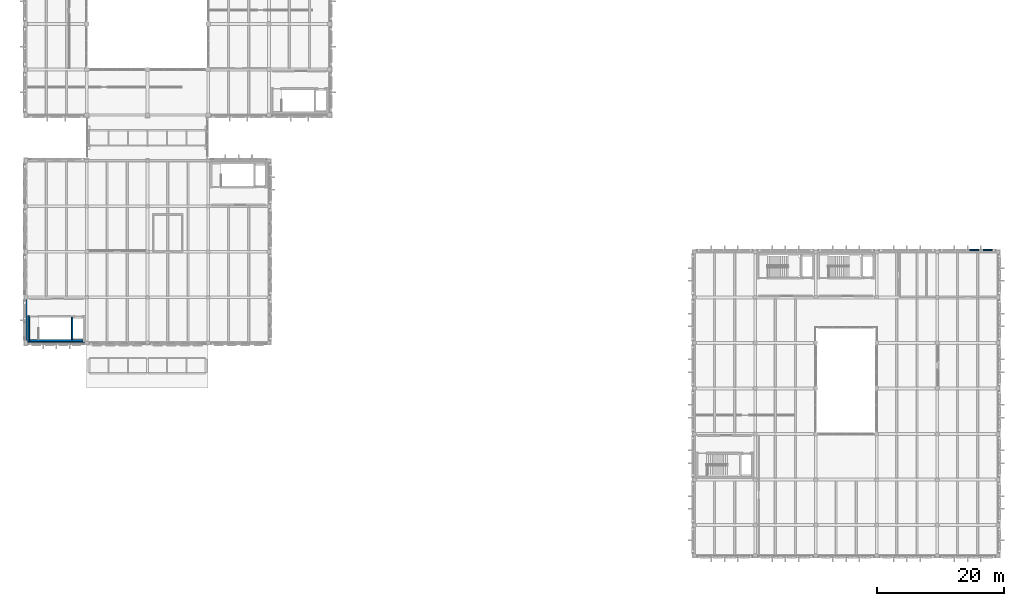
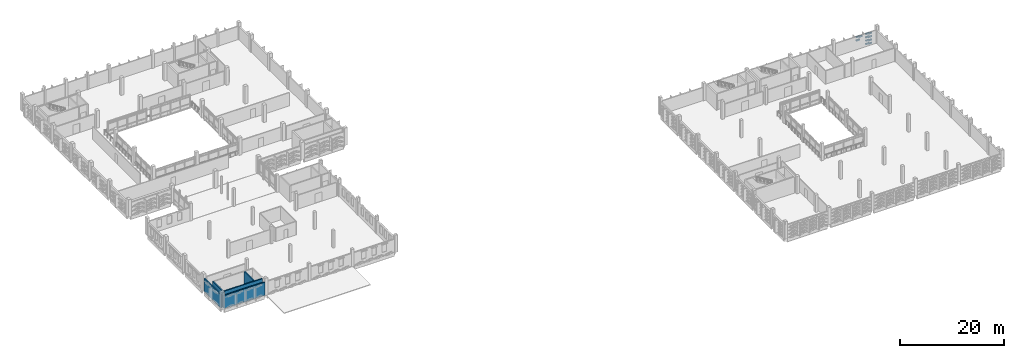
# One storey, part 52 of 72: 11 plates, 5 walls.
"""IFC4 building model written with IfcOpenShell, lengths in metres."""

from ifc_helpers import new_model, si_unit, direction, frame, frame_2d, origin, origin_2d, place, context, subcontext, project, spatial, rectangle, extrude, material, layer, layer_set, type_object, element, save


model = new_model("IFC4")

# Units and contexts
model_context = context("Model", 3, precision=1e-05, world=origin(), true_north=direction((0.0, 1.0)))
body_context = subcontext(model_context, "Body", "Model", "MODEL_VIEW")
ifc_project = project(units=[si_unit("LENGTHUNIT", "METRE"), si_unit("AREAUNIT", "SQUARE_METRE"), si_unit("VOLUMEUNIT", "CUBIC_METRE"), si_unit("PLANEANGLEUNIT", "RADIAN"), si_unit("MASSUNIT", "GRAM", prefix="KILO")], contexts=[model_context])

# Site, building, storey
site_placement = place(None, origin())
site = spatial("IfcSite", under=ifc_project, at=site_placement, CompositionType="ELEMENT")
building_placement = place(site_placement, origin())
building = spatial("IfcBuilding", under=site, at=building_placement, Name="Asteropetra Specialist Clinic", CompositionType="ELEMENT")
storey_placement = place(building_placement, frame((0.0, 0.0, 12.580078125)))
storey = spatial("IfcBuildingStorey", under=building, at=storey_placement, Name="L03", CompositionType="ELEMENT", Elevation=12.580078125)

# Plates
ifc_material_1 = material(Name="Aluminium 6063-T6", Category="aluminium")
ifc_layer_1 = layer(ifc_material_1, 0.139892578125)
ifc_layer_set_1 = layer_set([ifc_layer_1], Name="Aluminium 6063-T6")
plate_type = type_object("IfcPlateType", Name="PLT-CHV-TILE", PredefinedType="SHEET", material=ifc_layer_set_1)
for number, where, z_axis, x_axis, name in (
    (1, (152.242431640625, 48.277587890625, -0.00048828125), (0.0, 0.0, 1.0), (1.0, 0.0, 0.0), "Chevron Ceramic Panel CPT-1967"),
    (2, (151.6650390625, 48.277587890625, 0.12548828125), (0.0, 0.0, 1.0), (1.0, 0.0, 0.0), "Chevron Ceramic Panel CPT-1968"),
    (3, (152.242431640625, 48.277587890625, 0.76953125), (0.0, 0.0, 1.0), (1.0, 0.0, 0.0), "Chevron Ceramic Panel CPT-1969"),
    (4, (151.6650390625, 48.277587890625, 0.8955078125), (0.0, 0.0, 1.0), (1.0, 0.0, 0.0), "Chevron Ceramic Panel CPT-1970"),
    (5, (152.242431640625, 48.277587890625, 1.5693359375), (0.0, 0.0, 1.0), (1.0, 0.0, 0.0), "Chevron Ceramic Panel CPT-1971"),
    (6, (151.6650390625, 48.277587890625, 1.6953125), (0.0, 0.0, 1.0), (1.0, 0.0, 0.0), "Chevron Ceramic Panel CPT-1972"),
    (7, (152.242431640625, 48.277587890625, 2.349609375), (0.0, 0.0, 1.0), (1.0, 0.0, 0.0), "Chevron Ceramic Panel CPT-1973"),
    (8, (151.6650390625, 48.277587890625, 2.47509765625), (0.0, 0.0, 1.0), (1.0, 0.0, 0.0), "Chevron Ceramic Panel CPT-1974"),
    (9, (149.5625, 48.277587890625, 1.6953125), (0.0, 0.0, 1.0), (1.0, 0.0, 0.0), "Chevron Ceramic Panel CPT-1980"),
    (10, (150.139892578125, 48.277587890625, 2.349609375), (0.0, 0.0, 1.0), (1.0, 0.0, 0.0), "Chevron Ceramic Panel CPT-1981"),
    (11, (149.5625, 48.277587890625, 2.47509765625), (0.0, 0.0, 1.0), (1.0, 0.0, 0.0), "Chevron Ceramic Panel CPT-1982"),
):
    element("IfcPlate", number, at=place(storey_placement, frame(where, z_axis=z_axis, x_axis=x_axis)), inside=storey, type_object=plate_type, Name=name, PredefinedType="SHEET", context=body_context, shape_type="SweptSolid", body=[
        extrude(rectangle(XDim=0.824951171875, YDim=0.280029296875, at=origin_2d()), origin(), (0.0, 0.0, 1.0), 0.300048828125),
    ])

# Walls
ifc_material_2 = material(Name="Chevron limestone", Category="masonry")
ifc_layer_2 = layer(ifc_material_2, 0.284912109375)
ifc_layer_set_2 = layer_set([ifc_layer_2], Name="Chevron limestone")
wall_type_1 = type_object("IfcWallType", Name="EW-CHEV-OCH-285", PredefinedType="SOLIDWALL", material=ifc_layer_set_2)
wall_1_placement = place(storey_placement, frame((0.27490234375, 33.60009765625, 0.0), z_axis=(0.0, 0.0, 1.0), x_axis=(1.0, 0.0, 0.0)))
element("IfcWall", 12, at=wall_1_placement, inside=storey, type_object=wall_type_1, Name="Exterior Wall EW-0179", PredefinedType="SOLIDWALL", context=body_context, shape_type="SweptSolid", body=[
    extrude(rectangle(XDim=9.0751953125, YDim=0.284912109375, at=frame_2d((4.53759765625, 0.0))), origin(), (0.0, 0.0, 1.0), 3.059814453125),
])
wall_2_placement = place(storey_placement, frame((0.0, 40.425048828125, 0.0), z_axis=(0.0, 0.0, 1.0), x_axis=(0.0, -1.0, 0.0)))
element("IfcWall", 13, at=wall_2_placement, inside=storey, type_object=wall_type_1, Name="Exterior Wall EW-0185", PredefinedType="SOLIDWALL", context=body_context, shape_type="SweptSolid", body=[
    extrude(rectangle(XDim=6.449951171875, YDim=0.284912109375, at=frame_2d((3.22509765625, 0.0))), origin(), (0.0, 0.0, 1.0), 3.059814453125),
])
ifc_material_3 = material(Name="Concrete C35/45", Category="concrete")
ifc_layer_3 = layer(ifc_material_3, 0.280029296875)
ifc_layer_set_3 = layer_set([ifc_layer_3], Name="Concrete C35/45")
wall_type_2 = type_object("IfcWallType", Name="W-CORE-280", PredefinedType="SHEAR", material=ifc_layer_set_3)
wall_3_placement = place(storey_placement, frame((0.419921875, 33.820068359375, 0.0), z_axis=(0.0, 0.0, 1.0), x_axis=(0.0, 1.0, 0.0)))
element("IfcWall", 14, at=wall_3_placement, inside=storey, type_object=wall_type_2, Name="Core Wall CW-C4-L03-W", PredefinedType="SHEAR", context=body_context, shape_type="SweptSolid", body=[
    extrude(rectangle(XDim=4.079833984375, YDim=0.280029296875, at=frame_2d((2.0400390625, 0.0))), origin(), (0.0, 0.0, 1.0), 3.780029296875),
])
wall_4_placement = place(storey_placement, frame((0.554931640625, 33.9599609375, 0.0), z_axis=(0.0, 0.0, 1.0), x_axis=(1.0, 0.0, 0.0)))
element("IfcWall", 15, at=wall_4_placement, inside=storey, type_object=wall_type_2, Name="Core Wall CW-C4-L03-BACK", PredefinedType="SHEAR", context=body_context, shape_type="SweptSolid", body=[
    extrude(rectangle(XDim=8.489990234375, YDim=0.280029296875, at=frame_2d((4.2451171875, 0.0))), origin(), (0.0, 0.0, 1.0), 3.780029296875),
])
ifc_material_4 = material(Name="Concrete C35/45", Category="concrete")
ifc_layer_4 = layer(ifc_material_4, 0.25)
ifc_layer_set_4 = layer_set([ifc_layer_4], Name="Concrete C35/45")
wall_type_3 = type_object("IfcWallType", Name="W-SHAFT-250", PredefinedType="SHEAR", material=ifc_layer_set_4)
wall_5_placement = place(storey_placement, frame((7.300048828125, 34.10009765625, 0.0), z_axis=(0.0, 0.0, 1.0), x_axis=(0.0, 1.0, 0.0)))
element("IfcWall", 16, at=wall_5_placement, inside=storey, type_object=wall_type_3, Name="Core Wall CW-C4-L03-MID", PredefinedType="SHEAR", context=body_context, shape_type="SweptSolid", body=[
    extrude(rectangle(XDim=3.539794921875, YDim=0.25, at=frame_2d((1.77001953125, 0.0))), origin(), (0.0, 0.0, 1.0), 3.780029296875),
])

save(model, "model.ifc")
